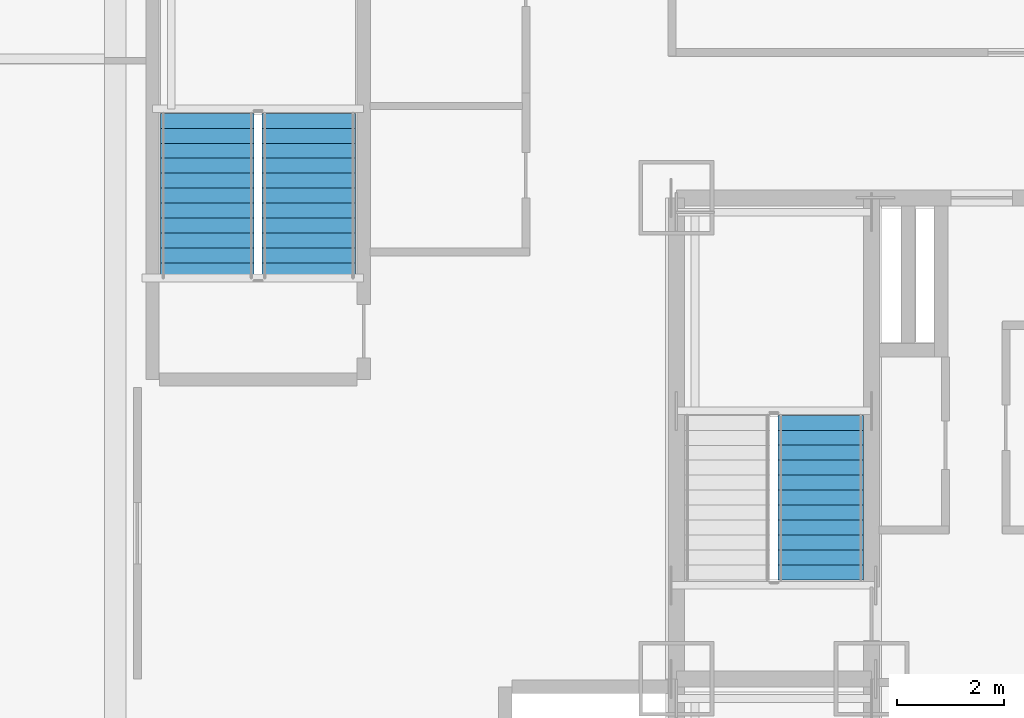
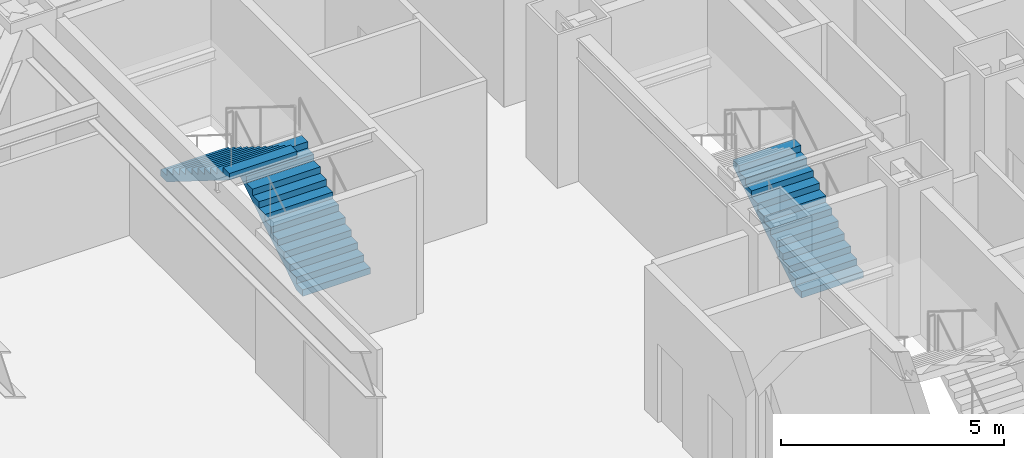
# One storey, part 19 of 25: 3 stair flights, 2 elements without a shape of their own.
"""IFC4 building model written with IfcOpenShell, lengths in metres."""

from ifc_helpers import new_model, si_unit, direction, frame, origin, place, context, subcontext, project, spatial, polyline, outline, extrude, material, type_object, element, aggregate, save


model = new_model("IFC4")

# Units and contexts
model_context = context("Model", 3, precision=1e-05, world=origin(), true_north=direction((0.0, 1.0)))
body_context = subcontext(model_context, "Body", "Model", "MODEL_VIEW")
ifc_project = project(units=[si_unit("LENGTHUNIT", "METRE"), si_unit("AREAUNIT", "SQUARE_METRE"), si_unit("VOLUMEUNIT", "CUBIC_METRE"), si_unit("PLANEANGLEUNIT", "RADIAN"), si_unit("MASSUNIT", "GRAM", prefix="KILO")], contexts=[model_context])

# Site, building, storey
site_placement = place(None, origin())
site = spatial("IfcSite", under=ifc_project, at=site_placement, CompositionType="ELEMENT")
building_placement = place(site_placement, origin())
building = spatial("IfcBuilding", under=site, at=building_placement, Name="Khamvora Tower", CompositionType="ELEMENT")
storey_placement = place(building_placement, frame((0.0, 0.0, 24.60009765625)))
storey = spatial("IfcBuildingStorey", under=building, at=storey_placement, Name="L05", CompositionType="ELEMENT", Elevation=24.60009765625)

# Stair, stair flight
ifc_material = material(Name="Concrete C40/50", Category="concrete")
stair_type_1 = type_object("IfcStairType", Name="STR-ST-02", PredefinedType="HALF_TURN_STAIR", material=ifc_material)
stair_1_placement = place(storey_placement, origin())
stair_1 = element("IfcStair", 1, at=stair_1_placement, inside=storey, type_object=stair_type_1, Name="L05 North Tower Exit Stair ST-02", PredefinedType="HALF_TURN_STAIR")
stair_flight_type_1 = type_object("IfcStairFlightType", Name="STF-ST-02", PredefinedType="STRAIGHT", material=ifc_material)
stair_flight_1_placement = place(storey_placement, frame((31.699951171875, 29.85009765625, 0.0), z_axis=(0.0, 0.0, 1.0), x_axis=(0.0, 1.0, 0.0)))
stair_flight_1 = element("IfcStairFlight", 2, at=stair_flight_1_placement, type_object=stair_flight_type_1, Name="ST-02 flight 1", NumberOfRisers=12, NumberOfTreads=11, PredefinedType="STRAIGHT", RiserHeight=0.175, TreadLength=0.28, context=body_context, shape_type="SweptSolid", body=[
    extrude(outline(polyline([(0.0, 0.0), (0.0, 0.175048828125), (0.280029296875, 0.175048828125), (0.280029296875, 0.35009765625), (0.56005859375, 0.35009765625), (0.56005859375, 0.52490234375), (0.840087890625, 0.52490234375), (0.840087890625, 0.699951171875), (1.1201171875, 0.699951171875), (1.1201171875, 0.875), (1.39990234375, 0.875), (1.39990234375, 1.050048828125), (1.679931640625, 1.050048828125), (1.679931640625, 1.22509765625), (1.9599609375, 1.22509765625), (1.9599609375, 1.39990234375), (2.239990234375, 1.39990234375), (2.239990234375, 1.574951171875), (2.52001953125, 1.574951171875), (2.52001953125, 1.75), (2.800048828125, 1.75), (2.800048828125, 1.925048828125), (3.080078125, 1.925048828125), (3.080078125, 2.10009765625), (3.080078125, 1.748291015625), (0.28271484375, 0.0), (0.0, 0.0)])), frame((0.0, 0.800048828125, 0.0), z_axis=(0.0, -1.0, 0.0), x_axis=(1.0, 0.0, 0.0)), (0.0, 0.0, 1.0), 1.60009765625),
])
aggregate(stair_1, [stair_flight_1])

# Stair, stair flights
stair_type_2 = type_object("IfcStairType", Name="STR-ST-04", PredefinedType="HALF_TURN_STAIR", material=ifc_material)
stair_2_placement = place(storey_placement, origin())
stair_2 = element("IfcStair", 3, at=stair_2_placement, inside=storey, type_object=stair_type_2, Name="L05 North School Podium Stair ST-04", PredefinedType="HALF_TURN_STAIR")
stair_flight_type_2 = type_object("IfcStairFlightType", Name="STF-ST-04", PredefinedType="STRAIGHT", material=ifc_material)
stair_flight_2_placement = place(storey_placement, frame((22.125, 35.5, 0.0), z_axis=(0.0, 0.0, 1.0), x_axis=(0.0, 1.0, 0.0)))
stair_flight_2 = element("IfcStairFlight", 4, at=stair_flight_2_placement, type_object=stair_flight_type_2, Name="ST-04 flight 1", NumberOfRisers=12, NumberOfTreads=11, PredefinedType="STRAIGHT", RiserHeight=0.175, TreadLength=0.28, context=body_context, shape_type="SweptSolid", body=[
    extrude(outline(polyline([(0.0, 0.0), (0.0, 0.175048828125), (0.280029296875, 0.175048828125), (0.280029296875, 0.35009765625), (0.56005859375, 0.35009765625), (0.56005859375, 0.52490234375), (0.840087890625, 0.52490234375), (0.840087890625, 0.699951171875), (1.1201171875, 0.699951171875), (1.1201171875, 0.875), (1.39990234375, 0.875), (1.39990234375, 1.050048828125), (1.679931640625, 1.050048828125), (1.679931640625, 1.22509765625), (1.9599609375, 1.22509765625), (1.9599609375, 1.39990234375), (2.239990234375, 1.39990234375), (2.239990234375, 1.574951171875), (2.52001953125, 1.574951171875), (2.52001953125, 1.75), (2.800048828125, 1.75), (2.800048828125, 1.925048828125), (3.080078125, 1.925048828125), (3.080078125, 2.10009765625), (3.080078125, 1.748291015625), (0.28271484375, 0.0), (0.0, 0.0)])), frame((0.0, 0.875, 0.0), z_axis=(0.0, -1.0, 0.0), x_axis=(1.0, 0.0, 0.0)), (0.0, 0.0, 1.0), 1.75),
])
stair_flight_3_placement = place(storey_placement, frame((20.22509765625, 38.580078125, 2.099853515625), z_axis=(0.0, 0.0, 1.0), x_axis=(0.0, -1.0, 0.0)))
stair_flight_3 = element("IfcStairFlight", 5, at=stair_flight_3_placement, type_object=stair_flight_type_2, Name="ST-04 flight 2", NumberOfRisers=12, NumberOfTreads=11, PredefinedType="STRAIGHT", RiserHeight=0.175, TreadLength=0.28, context=body_context, shape_type="SweptSolid", body=[
    extrude(outline(polyline([(0.0, 0.0), (0.0, 0.175048828125), (0.280029296875, 0.175048828125), (0.280029296875, 0.35009765625), (0.56005859375, 0.35009765625), (0.56005859375, 0.52490234375), (0.840087890625, 0.52490234375), (0.840087890625, 0.699951171875), (1.1201171875, 0.699951171875), (1.1201171875, 0.875), (1.39990234375, 0.875), (1.39990234375, 1.050048828125), (1.679931640625, 1.050048828125), (1.679931640625, 1.22509765625), (1.9599609375, 1.22509765625), (1.9599609375, 1.39990234375), (2.239990234375, 1.39990234375), (2.239990234375, 1.574951171875), (2.52001953125, 1.574951171875), (2.52001953125, 1.75), (2.800048828125, 1.75), (2.800048828125, 1.925048828125), (3.080078125, 1.925048828125), (3.080078125, 2.10009765625), (3.080078125, 1.748291015625), (0.28271484375, 0.0), (0.0, 0.0)])), frame((0.0, 0.875, 0.0), z_axis=(0.0, -1.0, 0.0), x_axis=(1.0, 0.0, 0.0)), (0.0, 0.0, 1.0), 1.75),
])
aggregate(stair_2, [stair_flight_2, stair_flight_3])

save(model, "model.ifc")
